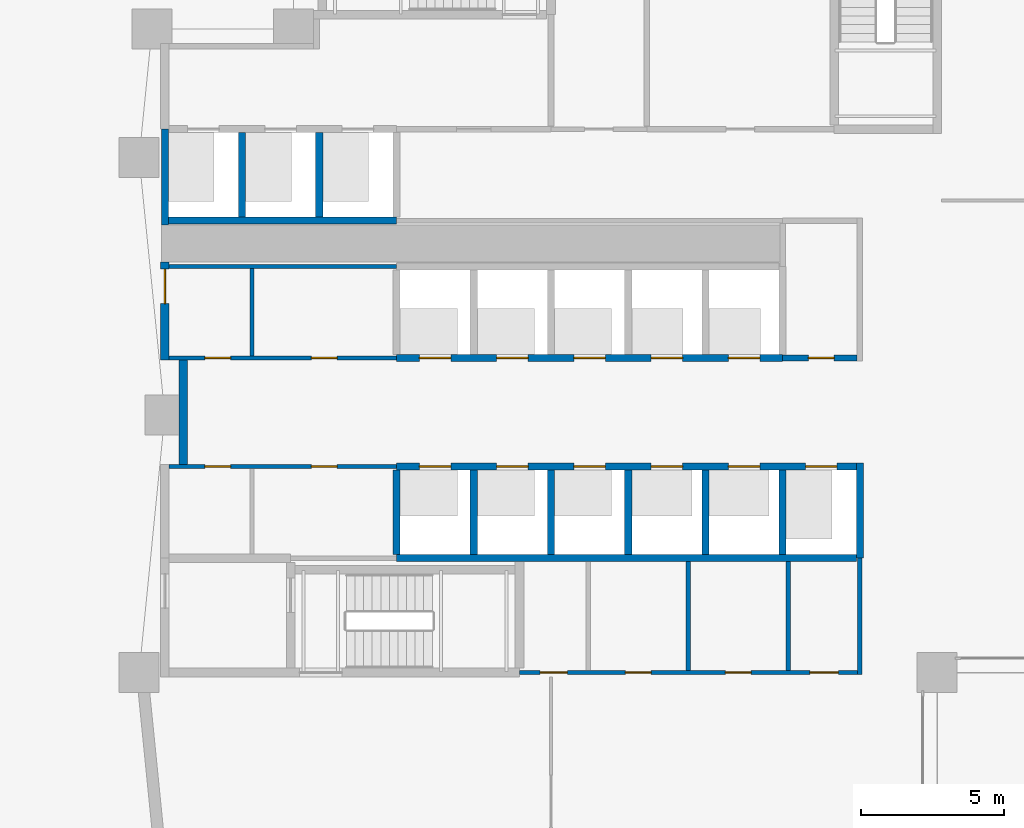
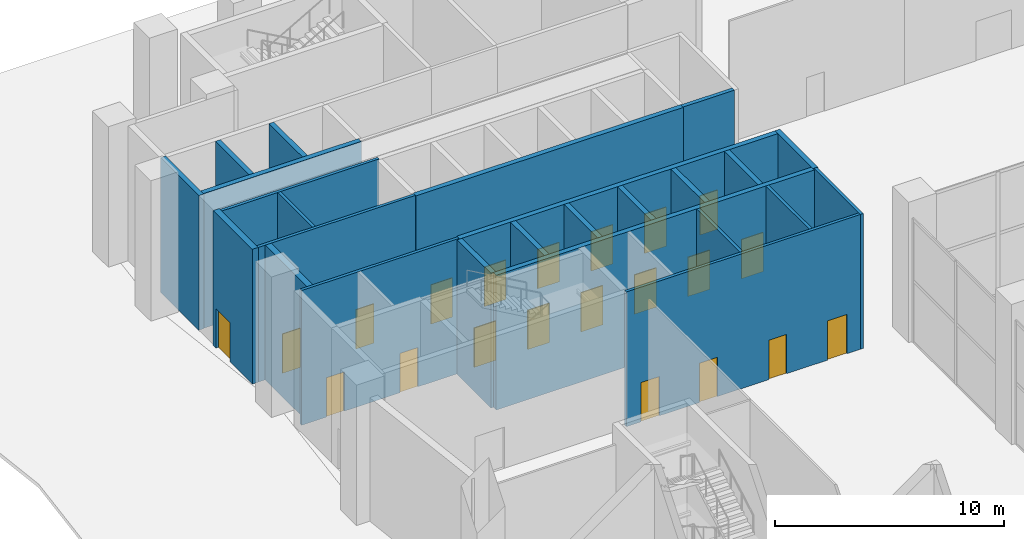
# One storey, part 8 of 16: 25 walls, 21 doors, 21 openings.
"""IFC4 building model written with IfcOpenShell, lengths in metres."""

from ifc_helpers import new_model, si_unit, direction, frame, frame_2d, origin, place, context, subcontext, project, spatial, rectangle, extrude, material, layer, layer_set, type_object, element, fill, save


model = new_model("IFC4")

# Units and contexts
model_context = context("Model", 3, precision=1e-05, world=origin(), true_north=direction((0.0, 1.0)))
body_context = subcontext(model_context, "Body", "Model", "MODEL_VIEW")
ifc_project = project(units=[si_unit("LENGTHUNIT", "METRE"), si_unit("AREAUNIT", "SQUARE_METRE"), si_unit("VOLUMEUNIT", "CUBIC_METRE"), si_unit("PLANEANGLEUNIT", "RADIAN"), si_unit("MASSUNIT", "GRAM", prefix="KILO")], contexts=[model_context])

# Site, building, storey
site_placement = place(None, origin())
site = spatial("IfcSite", under=ifc_project, at=site_placement, CompositionType="ELEMENT")
building_placement = place(site_placement, origin())
building = spatial("IfcBuilding", under=site, at=building_placement, Name="Brondeck Convention Tower", CompositionType="ELEMENT")
storey_placement = place(building_placement, origin())
storey = spatial("IfcBuildingStorey", under=building, at=storey_placement, Name="L00", CompositionType="ELEMENT", Elevation=0.0)

# Wall, openings, doors
ifc_material_1 = material(Name="Concrete C80/95", Category="concrete")
ifc_layer_1 = layer(ifc_material_1, 0.14990234375)
ifc_layer_set_1 = layer_set([ifc_layer_1], Name="Core beam-seat wall 150 Concrete C80/95")
wall_type_1 = type_object("IfcWallType", Name="Core beam-seat wall 150 Concrete C80/95", PredefinedType="SHEAR", material=ifc_layer_set_1)
wall_1_placement = place(storey_placement, frame((12.39990234375, 36.0, 0.0), z_axis=(0.0, 0.0, 1.0), x_axis=(1.0, 0.0, 0.0)))
wall_1 = element("IfcWall", 1, at=wall_1_placement, inside=storey, type_object=wall_type_1, Name="L00 core wall", PredefinedType="SHEAR", context=body_context, shape_type="SweptSolid", body=[
    extrude(rectangle(XDim=11.8251953125, YDim=0.14990234375, at=frame_2d((5.91259765625, 0.0))), origin(), (0.0, 0.0, 1.0), 7.199951171875),
])
opening_1_placement = place(wall_1_placement, frame((0.72509765625, 0.0, 0.0)))
opening_1 = element("IfcOpeningElement", 2, at=opening_1_placement, cuts=wall_1, Name="Opening C02-03", PredefinedType="OPENING", context=body_context, shape_type="SweptSolid", body=[
    extrude(rectangle(XDim=0.949951171875, YDim=2.10009765625, at=frame_2d((0.47509765625, 1.050048828125))), frame((0.0, 0.0849609375, 0.0), z_axis=(0.0, -1.0, 0.0), x_axis=(1.0, 0.0, 0.0)), (0.0, 0.0, 1.0), 0.169921875),
])
opening_2_placement = place(wall_1_placement, frame((3.699951171875, 0.0, 0.0)))
opening_2 = element("IfcOpeningElement", 3, at=opening_2_placement, cuts=wall_1, Name="Opening C02-04", PredefinedType="OPENING", context=body_context, shape_type="SweptSolid", body=[
    extrude(rectangle(XDim=0.89990234375, YDim=2.10009765625, at=frame_2d((0.449951171875, 1.050048828125))), frame((0.0, 0.0849609375, 0.0), z_axis=(0.0, -1.0, 0.0), x_axis=(1.0, 0.0, 0.0)), (0.0, 0.0, 1.0), 0.169921875),
])
opening_3_placement = place(wall_1_placement, frame((7.199951171875, 0.0, 0.0)))
opening_3 = element("IfcOpeningElement", 4, at=opening_3_placement, cuts=wall_1, Name="Opening C02-05", PredefinedType="OPENING", context=body_context, shape_type="SweptSolid", body=[
    extrude(rectangle(XDim=0.89990234375, YDim=2.10009765625, at=frame_2d((0.449951171875, 1.050048828125))), frame((0.0, 0.0849609375, 0.0), z_axis=(0.0, -1.0, 0.0), x_axis=(1.0, 0.0, 0.0)), (0.0, 0.0, 1.0), 0.169921875),
])
opening_4_placement = place(wall_1_placement, frame((10.14990234375, 0.0, 0.0)))
opening_4 = element("IfcOpeningElement", 5, at=opening_4_placement, cuts=wall_1, Name="Opening C02-06", PredefinedType="OPENING", context=body_context, shape_type="SweptSolid", body=[
    extrude(rectangle(XDim=1.0, YDim=2.10009765625, at=frame_2d((0.5, 1.050048828125))), frame((0.0, 0.0849609375, 0.0), z_axis=(0.0, -1.0, 0.0), x_axis=(1.0, 0.0, 0.0)), (0.0, 0.0, 1.0), 0.169921875),
])
ifc_material_2 = material(Name="Steel fire door", Category="steel")
door_type_1 = type_object("IfcDoorType", Name="Room door 1000x2100 EI 60", OperationType="NOTDEFINED", PredefinedType="DOOR", material=ifc_material_2)
door_1_placement = place(opening_4_placement, origin())
door_1 = element("IfcDoor", 6, at=door_1_placement, inside=storey, type_object=door_type_1, Name="L00 Room door FR-4", OperationType="SINGLE_SWING_LEFT", OverallHeight=2.10009765625, OverallWidth=1.0, PredefinedType="DOOR", context=body_context, shape_type="SweptSolid", body=[
    extrude(rectangle(XDim=1.0, YDim=2.10009765625, at=frame_2d((0.5, 1.050048828125))), frame((0.0, 0.02490234375, 0.0), z_axis=(0.0, -1.0, 0.0), x_axis=(1.0, 0.0, 0.0)), (0.0, 0.0, 1.0), 0.050048828125),
])
fill(opening_4, door_1)
door_type_2 = type_object("IfcDoorType", Name="Room door 900x2100 EI 60", OperationType="NOTDEFINED", PredefinedType="DOOR", material=ifc_material_2)
door_2_placement = place(opening_2_placement, origin())
door_2 = element("IfcDoor", 7, at=door_2_placement, inside=storey, type_object=door_type_2, Name="L00 Room door FR-2", OperationType="SINGLE_SWING_LEFT", OverallHeight=2.10009765625, OverallWidth=0.89990234375, PredefinedType="DOOR", context=body_context, shape_type="SweptSolid", body=[
    extrude(rectangle(XDim=0.89990234375, YDim=2.10009765625, at=frame_2d((0.449951171875, 1.050048828125))), frame((0.0, 0.02490234375, 0.0), z_axis=(0.0, -1.0, 0.0), x_axis=(1.0, 0.0, 0.0)), (0.0, 0.0, 1.0), 0.050048828125),
])
fill(opening_2, door_2)
door_3_placement = place(opening_3_placement, origin())
door_3 = element("IfcDoor", 8, at=door_3_placement, inside=storey, type_object=door_type_2, Name="L00 Room door FR-3", OperationType="SINGLE_SWING_RIGHT", OverallHeight=2.10009765625, OverallWidth=0.89990234375, PredefinedType="DOOR", context=body_context, shape_type="SweptSolid", body=[
    extrude(rectangle(XDim=0.89990234375, YDim=2.10009765625, at=frame_2d((0.449951171875, 1.050048828125))), frame((0.0, 0.02490234375, 0.0), z_axis=(0.0, -1.0, 0.0), x_axis=(1.0, 0.0, 0.0)), (0.0, 0.0, 1.0), 0.050048828125),
])
fill(opening_3, door_3)
door_type_3 = type_object("IfcDoorType", Name="Room door 950x2100 EI 60", OperationType="NOTDEFINED", PredefinedType="DOOR", material=ifc_material_2)
door_4_placement = place(opening_1_placement, origin())
door_4 = element("IfcDoor", 9, at=door_4_placement, inside=storey, type_object=door_type_3, Name="L00 Room door FR-1", OperationType="SINGLE_SWING_RIGHT", OverallHeight=2.10009765625, OverallWidth=0.949951171875, PredefinedType="DOOR", context=body_context, shape_type="SweptSolid", body=[
    extrude(rectangle(XDim=0.949951171875, YDim=2.10009765625, at=frame_2d((0.47509765625, 1.050048828125))), frame((0.0, 0.02490234375, 0.0), z_axis=(0.0, -1.0, 0.0), x_axis=(1.0, 0.0, 0.0)), (0.0, 0.0, 1.0), 0.050048828125),
])
fill(opening_1, door_4)

# Wall
wall_2_placement = place(storey_placement, frame((24.300048828125, 35.925048828125, 0.0), z_axis=(0.0, 0.0, 1.0), x_axis=(0.0, 1.0, 0.0)))
element("IfcWall", 10, at=wall_2_placement, inside=storey, type_object=wall_type_1, Name="L00 core wall", PredefinedType="SHEAR", context=body_context, shape_type="SweptSolid", body=[
    extrude(rectangle(XDim=4.074951171875, YDim=0.14990234375, at=frame_2d((2.03759765625, 0.0))), origin(), (0.0, 0.0, 1.0), 7.199951171875),
])

# Wall, opening, door
ifc_layer_2 = layer(ifc_material_1, 0.300048828125)
ifc_layer_set_2 = layer_set([ifc_layer_2], Name="Core outer wall 300 Concrete C80/95")
wall_type_2 = type_object("IfcWallType", Name="Core outer wall 300 Concrete C80/95", PredefinedType="SHEAR", material=ifc_layer_set_2)
wall_3_placement = place(storey_placement, frame((0.0, 46.925048828125, 0.0), z_axis=(0.0, 0.0, 1.0), x_axis=(0.0, 1.0, 0.0)))
wall_3 = element("IfcWall", 11, at=wall_3_placement, inside=storey, type_object=wall_type_2, Name="L00 core wall", PredefinedType="SHEAR", context=body_context, shape_type="SweptSolid", body=[
    extrude(rectangle(XDim=3.425048828125, YDim=0.300048828125, at=frame_2d((1.71240234375, 0.0))), origin(), (0.0, 0.0, 1.0), 7.199951171875),
])
opening_5_placement = place(wall_3_placement, frame((1.97509765625, 0.0, 0.0)))
opening_5 = element("IfcOpeningElement", 12, at=opening_5_placement, cuts=wall_3, Name="Opening C02-29", PredefinedType="OPENING", context=body_context, shape_type="SweptSolid", body=[
    extrude(rectangle(XDim=1.199951171875, YDim=2.10009765625, at=frame_2d((0.60009765625, 1.050048828125))), frame((0.0, 0.159912109375, 0.0), z_axis=(0.0, -1.0, 0.0), x_axis=(1.0, 0.0, 0.0)), (0.0, 0.0, 1.0), 0.320068359375),
])
door_type_4 = type_object("IfcDoorType", Name="Room door 1200x2100 EI 120", OperationType="NOTDEFINED", PredefinedType="DOOR", material=ifc_material_2)
door_5_placement = place(opening_5_placement, origin())
door_5 = element("IfcDoor", 13, at=door_5_placement, inside=storey, type_object=door_type_4, Name="L00 Room door FZ-N-0-1", OperationType="SINGLE_SWING_LEFT", OverallHeight=2.10009765625, OverallWidth=1.199951171875, PredefinedType="DOOR", context=body_context, shape_type="SweptSolid", body=[
    extrude(rectangle(XDim=1.199951171875, YDim=2.10009765625, at=frame_2d((0.60009765625, 1.050048828125))), frame((0.0, 0.02490234375, 0.0), z_axis=(0.0, -1.0, 0.0), x_axis=(1.0, 0.0, 0.0)), (0.0, 0.0, 1.0), 0.050048828125),
])
fill(opening_5, door_5)

# Wall
wall_4_placement = place(storey_placement, frame((0.64990234375, 43.27490234375, 0.0), z_axis=(0.0, 0.0, 1.0), x_axis=(0.0, 1.0, 0.0)))
element("IfcWall", 14, at=wall_4_placement, inside=storey, type_object=wall_type_2, Name="L00 core wall", PredefinedType="SHEAR", context=body_context, shape_type="SweptSolid", body=[
    extrude(rectangle(XDim=3.650146484375, YDim=0.300048828125, at=frame_2d((1.8251953125, 0.0))), origin(), (0.0, 0.0, 1.0), 7.199951171875),
])

# Wall, openings, doors
ifc_material_3 = material(Name="Fire-rated gypsum board partition")
ifc_layer_3 = layer(ifc_material_3, 0.14990234375)
ifc_layer_set_3 = layer_set([ifc_layer_3], Name="Core partition 150 EI 60")
wall_type_3 = type_object("IfcWallType", Name="Core partition 150 EI 60", PredefinedType="PARTITIONING", material=ifc_layer_set_3)
wall_5_placement = place(storey_placement, frame((0.14990234375, 43.199951171875, 0.0), z_axis=(0.0, 0.0, 1.0), x_axis=(1.0, 0.0, 0.0)))
wall_5 = element("IfcWall", 15, at=wall_5_placement, inside=storey, type_object=wall_type_3, Name="L00 core wall", PredefinedType="PARTITIONING", context=body_context, shape_type="SweptSolid", body=[
    extrude(rectangle(XDim=7.9501953125, YDim=0.14990234375, at=frame_2d((3.97509765625, 0.0))), origin(), (0.0, 0.0, 1.0), 7.199951171875),
])
opening_6_placement = place(wall_5_placement, frame((1.25, 0.0, 0.0)))
opening_6 = element("IfcOpeningElement", 16, at=opening_6_placement, cuts=wall_5, Name="Opening C02-09", PredefinedType="OPENING", context=body_context, shape_type="SweptSolid", body=[
    extrude(rectangle(XDim=0.89990234375, YDim=2.10009765625, at=frame_2d((0.449951171875, 1.050048828125))), frame((0.0, 0.0849609375, 0.0), z_axis=(0.0, -1.0, 0.0), x_axis=(1.0, 0.0, 0.0)), (0.0, 0.0, 1.0), 0.169921875),
])
opening_7_placement = place(wall_5_placement, frame((4.97509765625, 0.0, 0.0)))
opening_7 = element("IfcOpeningElement", 17, at=opening_7_placement, cuts=wall_5, Name="Opening C02-10", PredefinedType="OPENING", context=body_context, shape_type="SweptSolid", body=[
    extrude(rectangle(XDim=0.89990234375, YDim=2.10009765625, at=frame_2d((0.449951171875, 1.050048828125))), frame((0.0, 0.0849609375, 0.0), z_axis=(0.0, -1.0, 0.0), x_axis=(1.0, 0.0, 0.0)), (0.0, 0.0, 1.0), 0.169921875),
])
door_6_placement = place(opening_6_placement, origin())
door_6 = element("IfcDoor", 18, at=door_6_placement, inside=storey, type_object=door_type_2, Name="L00 Room door FZ-S-0-1", OperationType="SINGLE_SWING_LEFT", OverallHeight=2.10009765625, OverallWidth=0.89990234375, PredefinedType="DOOR", context=body_context, shape_type="SweptSolid", body=[
    extrude(rectangle(XDim=0.89990234375, YDim=2.10009765625, at=frame_2d((0.449951171875, 1.050048828125))), frame((0.0, 0.02490234375, 0.0), z_axis=(0.0, -1.0, 0.0), x_axis=(1.0, 0.0, 0.0)), (0.0, 0.0, 1.0), 0.050048828125),
])
fill(opening_6, door_6)
door_7_placement = place(opening_7_placement, origin())
door_7 = element("IfcDoor", 19, at=door_7_placement, inside=storey, type_object=door_type_2, Name="L00 Room door FZ-S-0-2", OperationType="SINGLE_SWING_RIGHT", OverallHeight=2.10009765625, OverallWidth=0.89990234375, PredefinedType="DOOR", context=body_context, shape_type="SweptSolid", body=[
    extrude(rectangle(XDim=0.89990234375, YDim=2.10009765625, at=frame_2d((0.449951171875, 1.050048828125))), frame((0.0, 0.02490234375, 0.0), z_axis=(0.0, -1.0, 0.0), x_axis=(1.0, 0.0, 0.0)), (0.0, 0.0, 1.0), 0.050048828125),
])
fill(opening_7, door_7)

wall_6_placement = place(storey_placement, frame((0.14990234375, 47.0, 0.0), z_axis=(0.0, 0.0, 1.0), x_axis=(1.0, 0.0, 0.0)))
wall_6 = element("IfcWall", 20, at=wall_6_placement, inside=storey, type_object=wall_type_3, Name="L00 core wall", PredefinedType="PARTITIONING", context=body_context, shape_type="SweptSolid", body=[
    extrude(rectangle(XDim=7.9501953125, YDim=0.14990234375, at=frame_2d((3.97509765625, 0.0))), origin(), (0.0, 0.0, 1.0), 7.199951171875),
])
opening_8_placement = place(wall_6_placement, frame((1.25, 0.0, 0.0)))
opening_8 = element("IfcOpeningElement", 21, at=opening_8_placement, cuts=wall_6, Name="Opening C02-07", PredefinedType="OPENING", context=body_context, shape_type="SweptSolid", body=[
    extrude(rectangle(XDim=0.89990234375, YDim=2.10009765625, at=frame_2d((0.449951171875, 1.050048828125))), frame((0.0, 0.0849609375, 0.0), z_axis=(0.0, -1.0, 0.0), x_axis=(1.0, 0.0, 0.0)), (0.0, 0.0, 1.0), 0.169921875),
])
opening_9_placement = place(wall_6_placement, frame((4.97509765625, 0.0, 0.0)))
opening_9 = element("IfcOpeningElement", 22, at=opening_9_placement, cuts=wall_6, Name="Opening C02-08", PredefinedType="OPENING", context=body_context, shape_type="SweptSolid", body=[
    extrude(rectangle(XDim=0.89990234375, YDim=2.10009765625, at=frame_2d((0.449951171875, 1.050048828125))), frame((0.0, 0.0849609375, 0.0), z_axis=(0.0, -1.0, 0.0), x_axis=(1.0, 0.0, 0.0)), (0.0, 0.0, 1.0), 0.169921875),
])
door_8_placement = place(opening_8_placement, origin())
door_8 = element("IfcDoor", 23, at=door_8_placement, inside=storey, type_object=door_type_2, Name="L00 Room door FZ-N-0-1", OperationType="SINGLE_SWING_RIGHT", OverallHeight=2.10009765625, OverallWidth=0.89990234375, PredefinedType="DOOR", context=body_context, shape_type="SweptSolid", body=[
    extrude(rectangle(XDim=0.89990234375, YDim=2.10009765625, at=frame_2d((0.449951171875, 1.050048828125))), frame((0.0, 0.02490234375, 0.0), z_axis=(0.0, -1.0, 0.0), x_axis=(1.0, 0.0, 0.0)), (0.0, 0.0, 1.0), 0.050048828125),
])
fill(opening_8, door_8)
door_9_placement = place(opening_9_placement, origin())
door_9 = element("IfcDoor", 24, at=door_9_placement, inside=storey, type_object=door_type_2, Name="L00 Room door FZ-N-0-2", OperationType="SINGLE_SWING_LEFT", OverallHeight=2.10009765625, OverallWidth=0.89990234375, PredefinedType="DOOR", context=body_context, shape_type="SweptSolid", body=[
    extrude(rectangle(XDim=0.89990234375, YDim=2.10009765625, at=frame_2d((0.449951171875, 1.050048828125))), frame((0.0, 0.02490234375, 0.0), z_axis=(0.0, -1.0, 0.0), x_axis=(1.0, 0.0, 0.0)), (0.0, 0.0, 1.0), 0.050048828125),
])
fill(opening_9, door_9)

# Walls
wall_7_placement = place(storey_placement, frame((0.14990234375, 50.199951171875, 0.0), z_axis=(0.0, 0.0, 1.0), x_axis=(1.0, 0.0, 0.0)))
element("IfcWall", 25, at=wall_7_placement, inside=storey, type_object=wall_type_3, Name="L00 core wall", PredefinedType="PARTITIONING", context=body_context, shape_type="SweptSolid", body=[
    extrude(rectangle(XDim=7.9501953125, YDim=0.14990234375, at=frame_2d((3.97509765625, 0.0))), origin(), (0.0, 0.0, 1.0), 7.199951171875),
])
wall_8_placement = place(storey_placement, frame((3.050048828125, 47.074951171875, 0.0), z_axis=(0.0, 0.0, 1.0), x_axis=(0.0, 1.0, 0.0)))
element("IfcWall", 26, at=wall_8_placement, inside=storey, type_object=wall_type_3, Name="L00 core wall", PredefinedType="PARTITIONING", context=body_context, shape_type="SweptSolid", body=[
    extrude(rectangle(XDim=3.050048828125, YDim=0.14990234375, at=frame_2d((1.52490234375, 0.0))), origin(), (0.0, 0.0, 1.0), 7.199951171875),
])
for number, where, z_axis, x_axis, name in (
    (27, (18.300048828125, 36.074951171875, 0.0), (0.0, 0.0, 1.0), (0.0, 1.0, 0.0), "L00 core wall"),
    (28, (21.800048828125, 36.074951171875, 0.0), (0.0, 0.0, 1.0), (0.0, 1.0, 0.0), "L00 core wall"),
):
    element("IfcWall", number, at=place(storey_placement, frame(where, z_axis=z_axis, x_axis=x_axis)), inside=storey, type_object=wall_type_3, Name=name, PredefinedType="PARTITIONING", context=body_context, shape_type="SweptSolid", body=[
        extrude(rectangle(XDim=3.800048828125, YDim=0.14990234375, at=frame_2d((1.89990234375, 0.0))), origin(), (0.0, 0.0, 1.0), 7.199951171875),
    ])
ifc_layer_4 = layer(ifc_material_1, 0.25)
ifc_layer_set_4 = layer_set([ifc_layer_4], Name="Lift shaft wall 250 Concrete C80/95")
wall_type_4 = type_object("IfcWallType", Name="Lift shaft wall 250 Concrete C80/95", PredefinedType="SHEAR", material=ifc_layer_set_4)
wall_9_placement = place(storey_placement, frame((8.10009765625, 40.0, 0.0), z_axis=(0.0, 0.0, 1.0), x_axis=(1.0, 0.0, 0.0)))
element("IfcWall", 29, at=wall_9_placement, inside=storey, type_object=wall_type_4, Name="L00 core wall", PredefinedType="SHEAR", context=body_context, shape_type="SweptSolid", body=[
    extrude(rectangle(XDim=16.074951171875, YDim=0.25, at=frame_2d((8.03759765625, 0.0))), origin(), (0.0, 0.0, 1.0), 7.199951171875),
])

# Wall, openings, doors
wall_10_placement = place(storey_placement, frame((8.10009765625, 43.199951171875, 0.0), z_axis=(0.0, 0.0, 1.0), x_axis=(1.0, 0.0, 0.0)))
wall_10 = element("IfcWall", 30, at=wall_10_placement, inside=storey, type_object=wall_type_4, Name="L00 core wall", PredefinedType="SHEAR", context=body_context, shape_type="SweptSolid", body=[
    extrude(rectangle(XDim=16.074951171875, YDim=0.25, at=frame_2d((8.03759765625, 0.0))), origin(), (0.0, 0.0, 1.0), 7.199951171875),
])
opening_10_placement = place(wall_10_placement, frame((14.300048828125, 0.0, 0.0)))
opening_10 = element("IfcOpeningElement", 31, at=opening_10_placement, cuts=wall_10, Name="Opening C02-36", PredefinedType="OPENING", context=body_context, shape_type="SweptSolid", body=[
    extrude(rectangle(XDim=1.10009765625, YDim=2.10009765625, at=frame_2d((0.550048828125, 1.050048828125))), frame((0.0, 0.135009765625, 0.0), z_axis=(0.0, -1.0, 0.0), x_axis=(1.0, 0.0, 0.0)), (0.0, 0.0, 1.0), 0.27001953125),
])
opening_11_placement = place(wall_10_placement, frame((0.800048828125, 0.0, 0.0)))
opening_11 = element("IfcOpeningElement", 32, at=opening_11_placement, cuts=wall_10, Name="Opening C02-37", PredefinedType="OPENING", context=body_context, shape_type="SweptSolid", body=[
    extrude(rectangle(XDim=1.10009765625, YDim=2.10009765625, at=frame_2d((0.550048828125, 1.050048828125))), frame((0.0, 0.135009765625, 0.0), z_axis=(0.0, -1.0, 0.0), x_axis=(1.0, 0.0, 0.0)), (0.0, 0.0, 1.0), 0.27001953125),
])
opening_12_placement = place(wall_10_placement, frame((3.5, 0.0, 0.0)))
opening_12 = element("IfcOpeningElement", 33, at=opening_12_placement, cuts=wall_10, Name="Opening C02-38", PredefinedType="OPENING", context=body_context, shape_type="SweptSolid", body=[
    extrude(rectangle(XDim=1.10009765625, YDim=2.10009765625, at=frame_2d((0.550048828125, 1.050048828125))), frame((0.0, 0.135009765625, 0.0), z_axis=(0.0, -1.0, 0.0), x_axis=(1.0, 0.0, 0.0)), (0.0, 0.0, 1.0), 0.27001953125),
])
opening_13_placement = place(wall_10_placement, frame((6.199951171875, 0.0, 0.0)))
opening_13 = element("IfcOpeningElement", 34, at=opening_13_placement, cuts=wall_10, Name="Opening C02-39", PredefinedType="OPENING", context=body_context, shape_type="SweptSolid", body=[
    extrude(rectangle(XDim=1.10009765625, YDim=2.10009765625, at=frame_2d((0.550048828125, 1.050048828125))), frame((0.0, 0.135009765625, 0.0), z_axis=(0.0, -1.0, 0.0), x_axis=(1.0, 0.0, 0.0)), (0.0, 0.0, 1.0), 0.27001953125),
])
opening_14_placement = place(wall_10_placement, frame((8.89990234375, 0.0, 0.0)))
opening_14 = element("IfcOpeningElement", 35, at=opening_14_placement, cuts=wall_10, Name="Opening C02-45", PredefinedType="OPENING", context=body_context, shape_type="SweptSolid", body=[
    extrude(rectangle(XDim=1.10009765625, YDim=2.10009765625, at=frame_2d((0.550048828125, 1.050048828125))), frame((0.0, 0.135009765625, 0.0), z_axis=(0.0, -1.0, 0.0), x_axis=(1.0, 0.0, 0.0)), (0.0, 0.0, 1.0), 0.27001953125),
])
opening_15_placement = place(wall_10_placement, frame((11.60009765625, 0.0, 0.0)))
opening_15 = element("IfcOpeningElement", 36, at=opening_15_placement, cuts=wall_10, Name="Opening C02-46", PredefinedType="OPENING", context=body_context, shape_type="SweptSolid", body=[
    extrude(rectangle(XDim=1.10009765625, YDim=2.10009765625, at=frame_2d((0.550048828125, 1.050048828125))), frame((0.0, 0.135009765625, 0.0), z_axis=(0.0, -1.0, 0.0), x_axis=(1.0, 0.0, 0.0)), (0.0, 0.0, 1.0), 0.27001953125),
])
ifc_material_4 = material(Name="Stainless steel lift door", Category="steel")
door_type_5 = type_object("IfcDoorType", Name="Lift landing door 1100x2100 EI 180", OperationType="DOUBLE_DOOR_SLIDING", PredefinedType="DOOR", material=ifc_material_4)
door_10_placement = place(opening_10_placement, origin())
door_10 = element("IfcDoor", 37, at=door_10_placement, inside=storey, type_object=door_type_5, Name="L00 Lift landing door HS1", OperationType="DOUBLE_DOOR_SLIDING", OverallHeight=2.10009765625, OverallWidth=1.10009765625, PredefinedType="DOOR", context=body_context, shape_type="SweptSolid", body=[
    extrude(rectangle(XDim=1.10009765625, YDim=2.10009765625, at=frame_2d((0.550048828125, 1.050048828125))), frame((0.0, 0.02490234375, 0.0), z_axis=(0.0, -1.0, 0.0), x_axis=(1.0, 0.0, 0.0)), (0.0, 0.0, 1.0), 0.050048828125),
])
fill(opening_10, door_10)
door_11_placement = place(opening_11_placement, origin())
door_11 = element("IfcDoor", 38, at=door_11_placement, inside=storey, type_object=door_type_5, Name="L00 Lift landing door LR1", OperationType="DOUBLE_DOOR_SLIDING", OverallHeight=2.10009765625, OverallWidth=1.10009765625, PredefinedType="DOOR", context=body_context, shape_type="SweptSolid", body=[
    extrude(rectangle(XDim=1.10009765625, YDim=2.10009765625, at=frame_2d((0.550048828125, 1.050048828125))), frame((0.0, 0.02490234375, 0.0), z_axis=(0.0, -1.0, 0.0), x_axis=(1.0, 0.0, 0.0)), (0.0, 0.0, 1.0), 0.050048828125),
])
fill(opening_11, door_11)
door_12_placement = place(opening_12_placement, origin())
door_12 = element("IfcDoor", 39, at=door_12_placement, inside=storey, type_object=door_type_5, Name="L00 Lift landing door LR2", OperationType="DOUBLE_DOOR_SLIDING", OverallHeight=2.10009765625, OverallWidth=1.10009765625, PredefinedType="DOOR", context=body_context, shape_type="SweptSolid", body=[
    extrude(rectangle(XDim=1.10009765625, YDim=2.10009765625, at=frame_2d((0.550048828125, 1.050048828125))), frame((0.0, 0.02490234375, 0.0), z_axis=(0.0, -1.0, 0.0), x_axis=(1.0, 0.0, 0.0)), (0.0, 0.0, 1.0), 0.050048828125),
])
fill(opening_12, door_12)
door_13_placement = place(opening_13_placement, origin())
door_13 = element("IfcDoor", 40, at=door_13_placement, inside=storey, type_object=door_type_5, Name="L00 Lift landing door LR3", OperationType="DOUBLE_DOOR_SLIDING", OverallHeight=2.10009765625, OverallWidth=1.10009765625, PredefinedType="DOOR", context=body_context, shape_type="SweptSolid", body=[
    extrude(rectangle(XDim=1.10009765625, YDim=2.10009765625, at=frame_2d((0.550048828125, 1.050048828125))), frame((0.0, 0.02490234375, 0.0), z_axis=(0.0, -1.0, 0.0), x_axis=(1.0, 0.0, 0.0)), (0.0, 0.0, 1.0), 0.050048828125),
])
fill(opening_13, door_13)
door_14_placement = place(opening_14_placement, origin())
door_14 = element("IfcDoor", 41, at=door_14_placement, inside=storey, type_object=door_type_5, Name="L00 Lift landing door SH1", OperationType="DOUBLE_DOOR_SLIDING", OverallHeight=2.10009765625, OverallWidth=1.10009765625, PredefinedType="DOOR", context=body_context, shape_type="SweptSolid", body=[
    extrude(rectangle(XDim=1.10009765625, YDim=2.10009765625, at=frame_2d((0.550048828125, 1.050048828125))), frame((0.0, 0.02490234375, 0.0), z_axis=(0.0, -1.0, 0.0), x_axis=(1.0, 0.0, 0.0)), (0.0, 0.0, 1.0), 0.050048828125),
])
fill(opening_14, door_14)
door_15_placement = place(opening_15_placement, origin())
door_15 = element("IfcDoor", 42, at=door_15_placement, inside=storey, type_object=door_type_5, Name="L00 Lift landing door SH2", OperationType="DOUBLE_DOOR_SLIDING", OverallHeight=2.10009765625, OverallWidth=1.10009765625, PredefinedType="DOOR", context=body_context, shape_type="SweptSolid", body=[
    extrude(rectangle(XDim=1.10009765625, YDim=2.10009765625, at=frame_2d((0.550048828125, 1.050048828125))), frame((0.0, 0.02490234375, 0.0), z_axis=(0.0, -1.0, 0.0), x_axis=(1.0, 0.0, 0.0)), (0.0, 0.0, 1.0), 0.050048828125),
])
fill(opening_15, door_15)

wall_11_placement = place(storey_placement, frame((8.10009765625, 47.0, 0.0), z_axis=(0.0, 0.0, 1.0), x_axis=(1.0, 0.0, 0.0)))
wall_11 = element("IfcWall", 43, at=wall_11_placement, inside=storey, type_object=wall_type_4, Name="L00 core wall", PredefinedType="SHEAR", context=body_context, shape_type="SweptSolid", body=[
    extrude(rectangle(XDim=13.5, YDim=0.25, at=frame_2d((6.75, 0.0))), origin(), (0.0, 0.0, 1.0), 7.199951171875),
])
opening_16_placement = place(wall_11_placement, frame((0.800048828125, 0.0, 0.0)))
opening_16 = element("IfcOpeningElement", 44, at=opening_16_placement, cuts=wall_11, Name="Opening C02-40", PredefinedType="OPENING", context=body_context, shape_type="SweptSolid", body=[
    extrude(rectangle(XDim=1.10009765625, YDim=2.10009765625, at=frame_2d((0.550048828125, 1.050048828125))), frame((0.0, 0.135009765625, 0.0), z_axis=(0.0, -1.0, 0.0), x_axis=(1.0, 0.0, 0.0)), (0.0, 0.0, 1.0), 0.27001953125),
])
opening_17_placement = place(wall_11_placement, frame((3.5, 0.0, 0.0)))
opening_17 = element("IfcOpeningElement", 45, at=opening_17_placement, cuts=wall_11, Name="Opening C02-41", PredefinedType="OPENING", context=body_context, shape_type="SweptSolid", body=[
    extrude(rectangle(XDim=1.10009765625, YDim=2.10009765625, at=frame_2d((0.550048828125, 1.050048828125))), frame((0.0, 0.135009765625, 0.0), z_axis=(0.0, -1.0, 0.0), x_axis=(1.0, 0.0, 0.0)), (0.0, 0.0, 1.0), 0.27001953125),
])
opening_18_placement = place(wall_11_placement, frame((6.199951171875, 0.0, 0.0)))
opening_18 = element("IfcOpeningElement", 46, at=opening_18_placement, cuts=wall_11, Name="Opening C02-42", PredefinedType="OPENING", context=body_context, shape_type="SweptSolid", body=[
    extrude(rectangle(XDim=1.10009765625, YDim=2.10009765625, at=frame_2d((0.550048828125, 1.050048828125))), frame((0.0, 0.135009765625, 0.0), z_axis=(0.0, -1.0, 0.0), x_axis=(1.0, 0.0, 0.0)), (0.0, 0.0, 1.0), 0.27001953125),
])
opening_19_placement = place(wall_11_placement, frame((8.89990234375, 0.0, 0.0)))
opening_19 = element("IfcOpeningElement", 47, at=opening_19_placement, cuts=wall_11, Name="Opening C02-43", PredefinedType="OPENING", context=body_context, shape_type="SweptSolid", body=[
    extrude(rectangle(XDim=1.10009765625, YDim=2.10009765625, at=frame_2d((0.550048828125, 1.050048828125))), frame((0.0, 0.135009765625, 0.0), z_axis=(0.0, -1.0, 0.0), x_axis=(1.0, 0.0, 0.0)), (0.0, 0.0, 1.0), 0.27001953125),
])
opening_20_placement = place(wall_11_placement, frame((11.60009765625, 0.0, 0.0)))
opening_20 = element("IfcOpeningElement", 48, at=opening_20_placement, cuts=wall_11, Name="Opening C02-44", PredefinedType="OPENING", context=body_context, shape_type="SweptSolid", body=[
    extrude(rectangle(XDim=1.10009765625, YDim=2.10009765625, at=frame_2d((0.550048828125, 1.050048828125))), frame((0.0, 0.135009765625, 0.0), z_axis=(0.0, -1.0, 0.0), x_axis=(1.0, 0.0, 0.0)), (0.0, 0.0, 1.0), 0.27001953125),
])
door_16_placement = place(opening_16_placement, origin())
door_16 = element("IfcDoor", 49, at=door_16_placement, inside=storey, type_object=door_type_5, Name="L00 Lift landing door LR4", OperationType="DOUBLE_DOOR_SLIDING", OverallHeight=2.10009765625, OverallWidth=1.10009765625, PredefinedType="DOOR", context=body_context, shape_type="SweptSolid", body=[
    extrude(rectangle(XDim=1.10009765625, YDim=2.10009765625, at=frame_2d((0.550048828125, 1.050048828125))), frame((0.0, 0.02490234375, 0.0), z_axis=(0.0, -1.0, 0.0), x_axis=(1.0, 0.0, 0.0)), (0.0, 0.0, 1.0), 0.050048828125),
])
fill(opening_16, door_16)
door_17_placement = place(opening_17_placement, origin())
door_17 = element("IfcDoor", 50, at=door_17_placement, inside=storey, type_object=door_type_5, Name="L00 Lift landing door LR5", OperationType="DOUBLE_DOOR_SLIDING", OverallHeight=2.10009765625, OverallWidth=1.10009765625, PredefinedType="DOOR", context=body_context, shape_type="SweptSolid", body=[
    extrude(rectangle(XDim=1.10009765625, YDim=2.10009765625, at=frame_2d((0.550048828125, 1.050048828125))), frame((0.0, 0.02490234375, 0.0), z_axis=(0.0, -1.0, 0.0), x_axis=(1.0, 0.0, 0.0)), (0.0, 0.0, 1.0), 0.050048828125),
])
fill(opening_17, door_17)
door_18_placement = place(opening_18_placement, origin())
door_18 = element("IfcDoor", 51, at=door_18_placement, inside=storey, type_object=door_type_5, Name="L00 Lift landing door LR6", OperationType="DOUBLE_DOOR_SLIDING", OverallHeight=2.10009765625, OverallWidth=1.10009765625, PredefinedType="DOOR", context=body_context, shape_type="SweptSolid", body=[
    extrude(rectangle(XDim=1.10009765625, YDim=2.10009765625, at=frame_2d((0.550048828125, 1.050048828125))), frame((0.0, 0.02490234375, 0.0), z_axis=(0.0, -1.0, 0.0), x_axis=(1.0, 0.0, 0.0)), (0.0, 0.0, 1.0), 0.050048828125),
])
fill(opening_18, door_18)
door_19_placement = place(opening_19_placement, origin())
door_19 = element("IfcDoor", 52, at=door_19_placement, inside=storey, type_object=door_type_5, Name="L00 Lift landing door PL1", OperationType="DOUBLE_DOOR_SLIDING", OverallHeight=2.10009765625, OverallWidth=1.10009765625, PredefinedType="DOOR", context=body_context, shape_type="SweptSolid", body=[
    extrude(rectangle(XDim=1.10009765625, YDim=2.10009765625, at=frame_2d((0.550048828125, 1.050048828125))), frame((0.0, 0.02490234375, 0.0), z_axis=(0.0, -1.0, 0.0), x_axis=(1.0, 0.0, 0.0)), (0.0, 0.0, 1.0), 0.050048828125),
])
fill(opening_19, door_19)
door_20_placement = place(opening_20_placement, origin())
door_20 = element("IfcDoor", 53, at=door_20_placement, inside=storey, type_object=door_type_5, Name="L00 Lift landing door PL2", OperationType="DOUBLE_DOOR_SLIDING", OverallHeight=2.10009765625, OverallWidth=1.10009765625, PredefinedType="DOOR", context=body_context, shape_type="SweptSolid", body=[
    extrude(rectangle(XDim=1.10009765625, YDim=2.10009765625, at=frame_2d((0.550048828125, 1.050048828125))), frame((0.0, 0.02490234375, 0.0), z_axis=(0.0, -1.0, 0.0), x_axis=(1.0, 0.0, 0.0)), (0.0, 0.0, 1.0), 0.050048828125),
])
fill(opening_20, door_20)

# Walls
wall_12_placement = place(storey_placement, frame((0.125, 51.800048828125, 0.0), z_axis=(0.0, 0.0, 1.0), x_axis=(1.0, 0.0, 0.0)))
element("IfcWall", 54, at=wall_12_placement, inside=storey, type_object=wall_type_4, Name="L00 core wall", PredefinedType="SHEAR", context=body_context, shape_type="SweptSolid", body=[
    extrude(rectangle(XDim=7.97509765625, YDim=0.25, at=frame_2d((3.987548828125, 0.0))), origin(), (0.0, 0.0, 1.0), 7.199951171875),
])
wall_13_placement = place(storey_placement, frame((0.0, 51.64990234375, 0.0), z_axis=(0.0, 0.0, 1.0), x_axis=(0.0, 1.0, 0.0)))
element("IfcWall", 55, at=wall_13_placement, inside=storey, type_object=wall_type_4, Name="L00 core wall", PredefinedType="SHEAR", context=body_context, shape_type="SweptSolid", body=[
    extrude(rectangle(XDim=3.35009765625, YDim=0.25, at=frame_2d((1.675048828125, 0.0))), origin(), (0.0, 0.0, 1.0), 7.199951171875),
])
for number, where, z_axis, x_axis, name in (
    (56, (2.699951171875, 51.925048828125, 0.0), (0.0, 0.0, 1.0), (0.0, 1.0, 0.0), "L00 core wall"),
    (57, (5.39990234375, 51.925048828125, 0.0), (0.0, 0.0, 1.0), (0.0, 1.0, 0.0), "L00 core wall"),
    (58, (8.10009765625, 40.125, 0.0), (0.0, 0.0, 1.0), (0.0, 1.0, 0.0), "L00 core wall"),
    (59, (10.800048828125, 40.125, 0.0), (0.0, 0.0, 1.0), (0.0, 1.0, 0.0), "L00 core wall"),
    (60, (13.5, 40.125, 0.0), (0.0, 0.0, 1.0), (0.0, 1.0, 0.0), "L00 core wall"),
    (61, (16.199951171875, 40.125, 0.0), (0.0, 0.0, 1.0), (0.0, 1.0, 0.0), "L00 core wall"),
    (62, (18.89990234375, 40.125, 0.0), (0.0, 0.0, 1.0), (0.0, 1.0, 0.0), "L00 core wall"),
    (63, (21.60009765625, 40.125, 0.0), (0.0, 0.0, 1.0), (0.0, 1.0, 0.0), "L00 core wall"),
):
    element("IfcWall", number, at=place(storey_placement, frame(where, z_axis=z_axis, x_axis=x_axis)), inside=storey, type_object=wall_type_4, Name=name, PredefinedType="SHEAR", context=body_context, shape_type="SweptSolid", body=[
        extrude(rectangle(XDim=2.949951171875, YDim=0.25, at=frame_2d((1.47509765625, 0.0))), origin(), (0.0, 0.0, 1.0), 7.199951171875),
    ])
wall_14_placement = place(storey_placement, frame((24.300048828125, 40.0, 0.0), z_axis=(0.0, 0.0, 1.0), x_axis=(0.0, 1.0, 0.0)))
element("IfcWall", 64, at=wall_14_placement, inside=storey, type_object=wall_type_4, Name="L00 core wall", PredefinedType="SHEAR", context=body_context, shape_type="SweptSolid", body=[
    extrude(rectangle(XDim=3.324951171875, YDim=0.25, at=frame_2d((1.66259765625, 0.0))), origin(), (0.0, 0.0, 1.0), 7.199951171875),
])

# Wall, opening, door
ifc_layer_5 = layer(ifc_material_3, 0.199951171875)
ifc_layer_set_5 = layer_set([ifc_layer_5], Name="Riser wall 200 EI 120")
wall_type_5 = type_object("IfcWallType", Name="Riser wall 200 EI 120", PredefinedType="PARTITIONING", material=ifc_layer_set_5)
wall_15_placement = place(storey_placement, frame((21.60009765625, 47.0, 0.0), z_axis=(0.0, 0.0, 1.0), x_axis=(1.0, 0.0, 0.0)))
wall_15 = element("IfcWall", 65, at=wall_15_placement, inside=storey, type_object=wall_type_5, Name="L00 core wall", PredefinedType="PARTITIONING", context=body_context, shape_type="SweptSolid", body=[
    extrude(rectangle(XDim=2.599853515625, YDim=0.199951171875, at=frame_2d((1.2998046875, 0.0))), origin(), (0.0, 0.0, 1.0), 7.199951171875),
])
opening_21_placement = place(wall_15_placement, frame((0.89990234375, 0.0, 0.0)))
opening_21 = element("IfcOpeningElement", 66, at=opening_21_placement, cuts=wall_15, Name="Opening C02-02", PredefinedType="OPENING", context=body_context, shape_type="SweptSolid", body=[
    extrude(rectangle(XDim=0.89990234375, YDim=2.10009765625, at=frame_2d((0.449951171875, 1.050048828125))), frame((0.0, 0.10986328125, 0.0), z_axis=(0.0, -1.0, 0.0), x_axis=(1.0, 0.0, 0.0)), (0.0, 0.0, 1.0), 0.219970703125),
])
door_type_6 = type_object("IfcDoorType", Name="Riser door 900x2100 EI 120", OperationType="NOTDEFINED", PredefinedType="DOOR", material=ifc_material_2)
door_21_placement = place(opening_21_placement, origin())
door_21 = element("IfcDoor", 67, at=door_21_placement, inside=storey, type_object=door_type_6, Name="L00 Riser door EN-1", OperationType="SINGLE_SWING_LEFT", OverallHeight=2.10009765625, OverallWidth=0.89990234375, PredefinedType="DOOR", context=body_context, shape_type="SweptSolid", body=[
    extrude(rectangle(XDim=0.89990234375, YDim=2.10009765625, at=frame_2d((0.449951171875, 1.050048828125))), frame((0.0, 0.02490234375, 0.0), z_axis=(0.0, -1.0, 0.0), x_axis=(1.0, 0.0, 0.0)), (0.0, 0.0, 1.0), 0.050048828125),
])
fill(opening_21, door_21)

save(model, "model.ifc")
